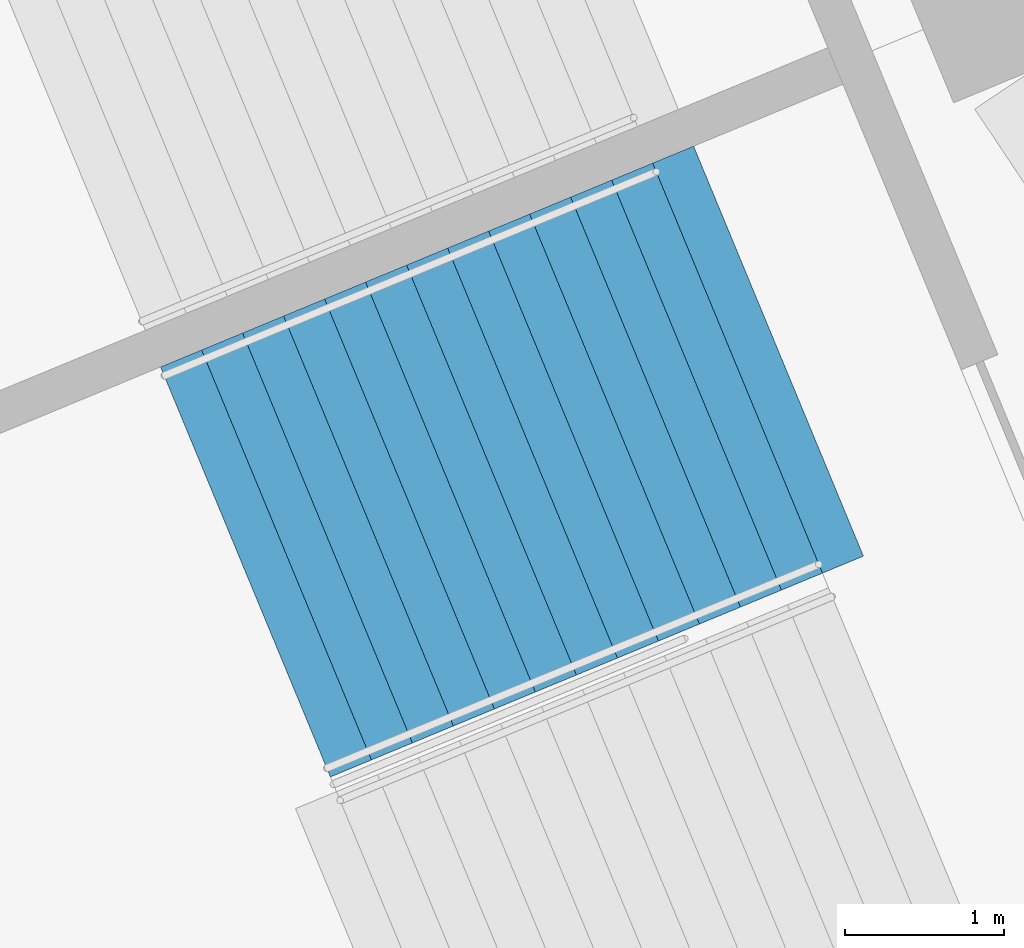
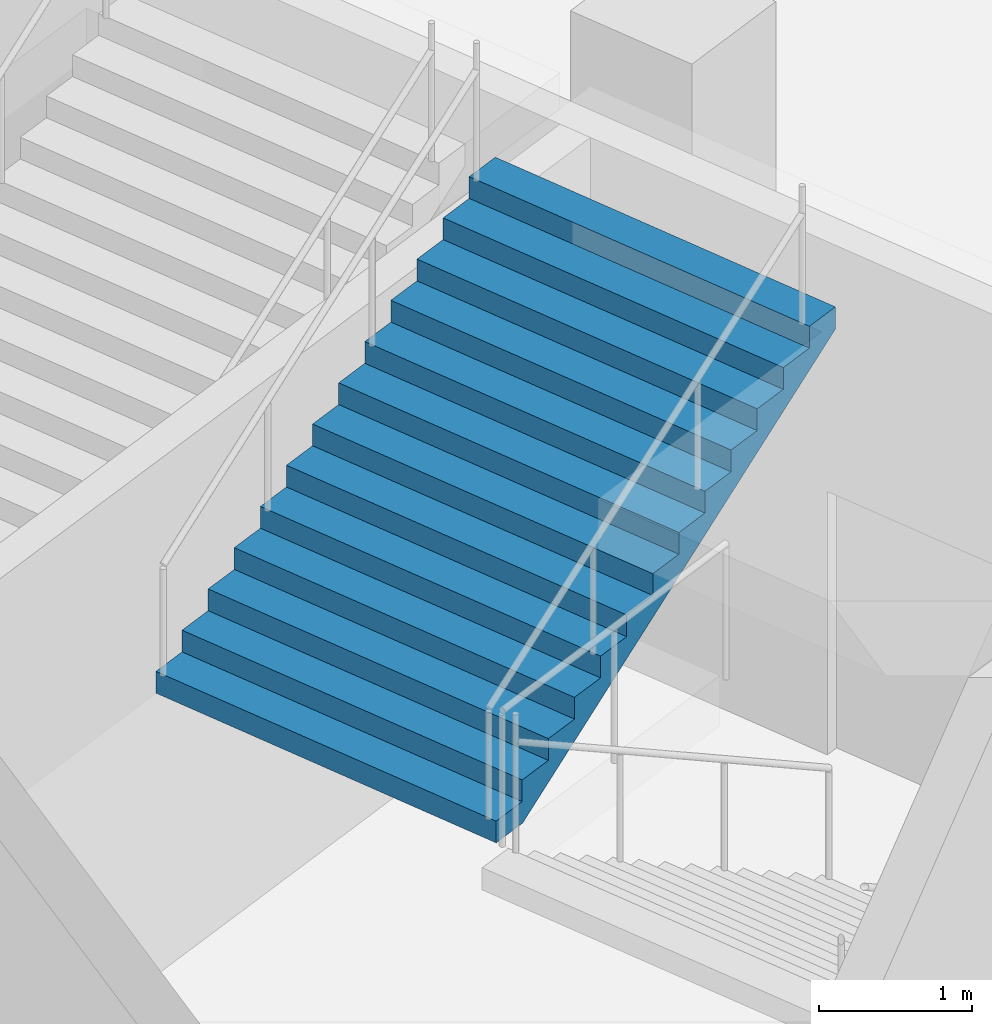
# One storey, part 48 of 175: 1 stair flight, 1 element without a shape of its own.
"""IFC4 building model written with IfcOpenShell, lengths in metres."""

from ifc_helpers import new_model, si_unit, direction, frame, origin, place, context, subcontext, project, spatial, faceted_brep, material, type_object, element, aggregate, save


model = new_model("IFC4")

# Units and contexts
model_context = context("Model", 3, precision=1e-05, world=origin(), true_north=direction((0.0, 1.0)))
body_context = subcontext(model_context, "Body", "Model", "MODEL_VIEW")
ifc_project = project(units=[si_unit("LENGTHUNIT", "METRE"), si_unit("AREAUNIT", "SQUARE_METRE"), si_unit("VOLUMEUNIT", "CUBIC_METRE"), si_unit("PLANEANGLEUNIT", "RADIAN"), si_unit("MASSUNIT", "GRAM", prefix="KILO")], contexts=[model_context])

# Site, building, storey
site_placement = place(None, origin())
site = spatial("IfcSite", under=ifc_project, at=site_placement, CompositionType="ELEMENT")
building_placement = place(site_placement, origin())
building = spatial("IfcBuilding", under=site, at=building_placement, Name="Ogive Plaza Stadium", CompositionType="ELEMENT")
storey_placement = place(building_placement, origin())
storey = spatial("IfcBuildingStorey", under=building, at=storey_placement, Name="L00", CompositionType="ELEMENT", Elevation=0.0)

# Stair, stair flight
ifc_material_1 = material(Name="Concrete C40/50", Category="concrete")
stair_type = type_object("IfcStairType", Name="Exit stair", PredefinedType="STRAIGHT_RUN_STAIR", material=ifc_material_1)
stair_placement = place(storey_placement, origin())
stair = element("IfcStair", 1, at=stair_placement, inside=storey, type_object=stair_type, Name="Exit stair ST20B L00 to L01", PredefinedType="STRAIGHT_RUN_STAIR")
ifc_material_2 = material(Name="Concrete C40/50", Category="concrete")
stair_flight_type = type_object("IfcStairFlightType", Name="Exit stair flight", PredefinedType="STRAIGHT", material=ifc_material_2)
stair_flight_placement = place(storey_placement, frame((-75.64697265625, -71.4013671875, 2.25), z_axis=(0.0, 0.0, 1.0), x_axis=(0.923879532511, 0.382683432365, 0.0)))
stair_flight = element("IfcStairFlight", 2, at=stair_flight_placement, type_object=stair_flight_type, Name="ST20B flight 2", NumberOfRisers=13, NumberOfTreads=12, PredefinedType="STRAIGHT", RiserHeight=0.173076923, TreadLength=0.28, context=body_context, shape_type="Brep", body=[
    faceted_brep([(0.28515625, -1.39990234375, 0.0), (3.639892578125, -1.39990234375, 2.07373046875), (3.639892578125, -1.39990234375, 2.25), (3.360107421875, -1.39990234375, 2.25), (3.360107421875, -1.39990234375, 2.076904296875), (3.080078125, -1.39990234375, 2.076904296875), (3.080078125, -1.39990234375, 1.90380859375), (2.800048828125, -1.39990234375, 1.90380859375), (2.800048828125, -1.39990234375, 1.730712890625), (2.52001953125, -1.39990234375, 1.730712890625), (2.52001953125, -1.39990234375, 1.5576171875), (2.239990234375, -1.39990234375, 1.5576171875), (2.239990234375, -1.39990234375, 1.384521484375), (1.9599609375, -1.39990234375, 1.384521484375), (1.9599609375, -1.39990234375, 1.21142578125), (1.679931640625, -1.39990234375, 1.21142578125), (1.679931640625, -1.39990234375, 1.03857421875), (1.39990234375, -1.39990234375, 1.03857421875), (1.39990234375, -1.39990234375, 0.865478515625), (1.1201171875, -1.39990234375, 0.865478515625), (1.1201171875, -1.39990234375, 0.6923828125), (0.840087890625, -1.39990234375, 0.6923828125), (0.840087890625, -1.39990234375, 0.519287109375), (0.56005859375, -1.39990234375, 0.519287109375), (0.56005859375, -1.39990234375, 0.34619140625), (0.280029296875, -1.39990234375, 0.34619140625), (0.280029296875, -1.39990234375, 0.173095703125), (0.0, -1.39990234375, 0.173095703125), (0.0, -1.39990234375, 0.0), (0.0, 1.39990234375, 0.0), (0.0, 1.39990234375, 0.173095703125), (0.280029296875, 1.39990234375, 0.173095703125), (0.280029296875, 1.39990234375, 0.34619140625), (0.56005859375, 1.39990234375, 0.34619140625), (0.56005859375, 1.39990234375, 0.519287109375), (0.840087890625, 1.39990234375, 0.519287109375), (0.840087890625, 1.39990234375, 0.6923828125), (1.1201171875, 1.39990234375, 0.6923828125), (1.1201171875, 1.39990234375, 0.865478515625), (1.39990234375, 1.39990234375, 0.865478515625), (1.39990234375, 1.39990234375, 1.03857421875), (1.679931640625, 1.39990234375, 1.03857421875), (1.679931640625, 1.39990234375, 1.21142578125), (1.9599609375, 1.39990234375, 1.21142578125), (1.9599609375, 1.39990234375, 1.384521484375), (2.239990234375, 1.39990234375, 1.384521484375), (2.239990234375, 1.39990234375, 1.5576171875), (2.52001953125, 1.39990234375, 1.5576171875), (2.52001953125, 1.39990234375, 1.730712890625), (2.800048828125, 1.39990234375, 1.730712890625), (2.800048828125, 1.39990234375, 1.90380859375), (3.080078125, 1.39990234375, 1.90380859375), (3.080078125, 1.39990234375, 2.076904296875), (3.360107421875, 1.39990234375, 2.076904296875), (3.360107421875, 1.39990234375, 2.25), (3.639892578125, 1.39990234375, 2.25), (3.639892578125, 1.39990234375, 2.07373046875), (0.28515625, 1.39990234375, 0.0), (0.28515625, -1.0888671875, 0.0), (3.639892578125, -1.0888671875, 2.07373046875), (0.28515625, -0.77783203125, 0.0), (3.639892578125, -0.77783203125, 2.07373046875), (0.28515625, -0.466796875, 0.0), (3.639892578125, -0.466796875, 2.07373046875), (0.28515625, -0.155517578125, 0.0), (3.639892578125, -0.155517578125, 2.07373046875), (0.28515625, 0.155517578125, 0.0), (3.639892578125, 0.155517578125, 2.07373046875), (0.28515625, 0.466796875, 0.0), (3.639892578125, 0.466796875, 2.07373046875), (0.28515625, 0.77783203125, 0.0), (3.639892578125, 0.77783203125, 2.07373046875), (0.28515625, 1.0888671875, 0.0), (3.639892578125, 1.0888671875, 2.07373046875), (3.639892578125, -1.0888671875, 2.25), (3.639892578125, -0.77783203125, 2.25), (3.639892578125, -0.466796875, 2.25), (3.639892578125, -0.155517578125, 2.25), (3.639892578125, 0.155517578125, 2.25), (3.639892578125, 0.466796875, 2.25), (3.639892578125, 0.77783203125, 2.25), (3.639892578125, 1.0888671875, 2.25), (3.360107421875, -1.0888671875, 2.25), (3.360107421875, -0.77783203125, 2.25), (3.360107421875, -0.466796875, 2.25), (3.360107421875, -0.155517578125, 2.25), (3.360107421875, 0.155517578125, 2.25), (3.360107421875, 0.466796875, 2.25), (3.360107421875, 0.77783203125, 2.25), (3.360107421875, 1.0888671875, 2.25), (3.360107421875, -1.0888671875, 2.076904296875), (3.360107421875, -0.77783203125, 2.076904296875), (3.360107421875, -0.466796875, 2.076904296875), (3.360107421875, -0.155517578125, 2.076904296875), (3.360107421875, 0.155517578125, 2.076904296875), (3.360107421875, 0.466796875, 2.076904296875), (3.360107421875, 0.77783203125, 2.076904296875), (3.360107421875, 1.0888671875, 2.076904296875), (3.080078125, -1.0888671875, 2.076904296875), (3.080078125, -0.77783203125, 2.076904296875), (3.080078125, -0.466796875, 2.076904296875), (3.080078125, -0.155517578125, 2.076904296875), (3.080078125, 0.155517578125, 2.076904296875), (3.080078125, 0.466796875, 2.076904296875), (3.080078125, 0.77783203125, 2.076904296875), (3.080078125, 1.0888671875, 2.076904296875), (3.080078125, -1.0888671875, 1.90380859375), (3.080078125, -0.77783203125, 1.90380859375), (3.080078125, -0.466796875, 1.90380859375), (3.080078125, -0.155517578125, 1.90380859375), (3.080078125, 0.155517578125, 1.90380859375), (3.080078125, 0.466796875, 1.90380859375), (3.080078125, 0.77783203125, 1.90380859375), (3.080078125, 1.0888671875, 1.90380859375), (2.800048828125, -1.0888671875, 1.90380859375), (2.800048828125, -0.77783203125, 1.90380859375), (2.800048828125, -0.466796875, 1.90380859375), (2.800048828125, -0.155517578125, 1.90380859375), (2.800048828125, 0.155517578125, 1.90380859375), (2.800048828125, 0.466796875, 1.90380859375), (2.800048828125, 0.77783203125, 1.90380859375), (2.800048828125, 1.0888671875, 1.90380859375), (2.800048828125, -1.0888671875, 1.730712890625), (2.800048828125, -0.77783203125, 1.730712890625), (2.800048828125, -0.466796875, 1.730712890625), (2.800048828125, -0.155517578125, 1.730712890625), (2.800048828125, 0.155517578125, 1.730712890625), (2.800048828125, 0.466796875, 1.730712890625), (2.800048828125, 0.77783203125, 1.730712890625), (2.800048828125, 1.0888671875, 1.730712890625), (2.52001953125, -1.0888671875, 1.730712890625), (2.52001953125, -0.77783203125, 1.730712890625), (2.52001953125, -0.466796875, 1.730712890625), (2.52001953125, -0.155517578125, 1.730712890625), (2.52001953125, 0.155517578125, 1.730712890625), (2.52001953125, 0.466796875, 1.730712890625), (2.52001953125, 0.77783203125, 1.730712890625), (2.52001953125, 1.0888671875, 1.730712890625), (2.52001953125, -1.0888671875, 1.5576171875), (2.52001953125, -0.77783203125, 1.5576171875), (2.52001953125, -0.466796875, 1.5576171875), (2.52001953125, -0.155517578125, 1.5576171875), (2.52001953125, 0.155517578125, 1.5576171875), (2.52001953125, 0.466796875, 1.5576171875), (2.52001953125, 0.77783203125, 1.5576171875), (2.52001953125, 1.0888671875, 1.5576171875), (2.239990234375, -1.0888671875, 1.5576171875), (2.239990234375, -0.77783203125, 1.5576171875), (2.239990234375, -0.466796875, 1.5576171875), (2.239990234375, -0.155517578125, 1.5576171875), (2.239990234375, 0.155517578125, 1.5576171875), (2.239990234375, 0.466796875, 1.5576171875), (2.239990234375, 0.77783203125, 1.5576171875), (2.239990234375, 1.0888671875, 1.5576171875), (2.239990234375, -1.0888671875, 1.384521484375), (2.239990234375, -0.77783203125, 1.384521484375), (2.239990234375, -0.466796875, 1.384521484375), (2.239990234375, -0.155517578125, 1.384521484375), (2.239990234375, 0.155517578125, 1.384521484375), (2.239990234375, 0.466796875, 1.384521484375), (2.239990234375, 0.77783203125, 1.384521484375), (2.239990234375, 1.0888671875, 1.384521484375), (1.9599609375, -1.0888671875, 1.384521484375), (1.9599609375, -0.77783203125, 1.384521484375), (1.9599609375, -0.466796875, 1.384521484375), (1.9599609375, -0.155517578125, 1.384521484375), (1.9599609375, 0.155517578125, 1.384521484375), (1.9599609375, 0.466796875, 1.384521484375), (1.9599609375, 0.77783203125, 1.384521484375), (1.9599609375, 1.0888671875, 1.384521484375), (1.9599609375, -1.0888671875, 1.21142578125), (1.9599609375, -0.77783203125, 1.21142578125), (1.9599609375, -0.466796875, 1.21142578125), (1.9599609375, -0.155517578125, 1.21142578125), (1.9599609375, 0.155517578125, 1.21142578125), (1.9599609375, 0.466796875, 1.21142578125), (1.9599609375, 0.77783203125, 1.21142578125), (1.9599609375, 1.0888671875, 1.21142578125), (1.679931640625, -1.0888671875, 1.21142578125), (1.679931640625, -0.77783203125, 1.21142578125), (1.679931640625, -0.466796875, 1.21142578125), (1.679931640625, -0.155517578125, 1.21142578125), (1.679931640625, 0.155517578125, 1.21142578125), (1.679931640625, 0.466796875, 1.21142578125), (1.679931640625, 0.77783203125, 1.21142578125), (1.679931640625, 1.0888671875, 1.21142578125), (1.679931640625, -1.0888671875, 1.03857421875), (1.679931640625, -0.77783203125, 1.03857421875), (1.679931640625, -0.466796875, 1.03857421875), (1.679931640625, -0.155517578125, 1.03857421875), (1.679931640625, 0.155517578125, 1.03857421875), (1.679931640625, 0.466796875, 1.03857421875), (1.679931640625, 0.77783203125, 1.03857421875), (1.679931640625, 1.0888671875, 1.03857421875), (1.39990234375, -1.0888671875, 1.03857421875), (1.39990234375, -0.77783203125, 1.03857421875), (1.39990234375, -0.466796875, 1.03857421875), (1.39990234375, -0.155517578125, 1.03857421875), (1.39990234375, 0.155517578125, 1.03857421875), (1.39990234375, 0.466796875, 1.03857421875), (1.39990234375, 0.77783203125, 1.03857421875), (1.39990234375, 1.0888671875, 1.03857421875), (1.39990234375, -1.0888671875, 0.865478515625), (1.39990234375, -0.77783203125, 0.865478515625), (1.39990234375, -0.466796875, 0.865478515625), (1.39990234375, -0.155517578125, 0.865478515625), (1.39990234375, 0.155517578125, 0.865478515625), (1.39990234375, 0.466796875, 0.865478515625), (1.39990234375, 0.77783203125, 0.865478515625), (1.39990234375, 1.0888671875, 0.865478515625), (1.1201171875, -1.0888671875, 0.865478515625), (1.1201171875, -0.77783203125, 0.865478515625), (1.1201171875, -0.466796875, 0.865478515625), (1.1201171875, -0.155517578125, 0.865478515625), (1.1201171875, 0.155517578125, 0.865478515625), (1.1201171875, 0.466796875, 0.865478515625), (1.1201171875, 0.77783203125, 0.865478515625), (1.1201171875, 1.0888671875, 0.865478515625), (1.1201171875, -1.0888671875, 0.6923828125), (1.1201171875, -0.77783203125, 0.6923828125), (1.1201171875, -0.466796875, 0.6923828125), (1.1201171875, -0.155517578125, 0.6923828125), (1.1201171875, 0.155517578125, 0.6923828125), (1.1201171875, 0.466796875, 0.6923828125), (1.1201171875, 0.77783203125, 0.6923828125), (1.1201171875, 1.0888671875, 0.6923828125), (0.840087890625, -1.0888671875, 0.6923828125), (0.840087890625, -0.77783203125, 0.6923828125), (0.840087890625, -0.466796875, 0.6923828125), (0.840087890625, -0.155517578125, 0.6923828125), (0.840087890625, 0.155517578125, 0.6923828125), (0.840087890625, 0.466796875, 0.6923828125), (0.840087890625, 0.77783203125, 0.6923828125), (0.840087890625, 1.0888671875, 0.6923828125), (0.840087890625, -1.0888671875, 0.519287109375), (0.840087890625, -0.77783203125, 0.519287109375), (0.840087890625, -0.466796875, 0.519287109375), (0.840087890625, -0.155517578125, 0.519287109375), (0.840087890625, 0.155517578125, 0.519287109375), (0.840087890625, 0.466796875, 0.519287109375), (0.840087890625, 0.77783203125, 0.519287109375), (0.840087890625, 1.0888671875, 0.519287109375), (0.56005859375, -1.0888671875, 0.519287109375), (0.56005859375, -0.77783203125, 0.519287109375), (0.56005859375, -0.466796875, 0.519287109375), (0.56005859375, -0.155517578125, 0.519287109375), (0.56005859375, 0.155517578125, 0.519287109375), (0.56005859375, 0.466796875, 0.519287109375), (0.56005859375, 0.77783203125, 0.519287109375), (0.56005859375, 1.0888671875, 0.519287109375), (0.56005859375, -1.0888671875, 0.34619140625), (0.56005859375, -0.77783203125, 0.34619140625), (0.56005859375, -0.466796875, 0.34619140625), (0.56005859375, -0.155517578125, 0.34619140625), (0.56005859375, 0.155517578125, 0.34619140625), (0.56005859375, 0.466796875, 0.34619140625), (0.56005859375, 0.77783203125, 0.34619140625), (0.56005859375, 1.0888671875, 0.34619140625), (0.280029296875, -1.0888671875, 0.34619140625), (0.280029296875, -0.77783203125, 0.34619140625), (0.280029296875, -0.466796875, 0.34619140625), (0.280029296875, -0.155517578125, 0.34619140625), (0.280029296875, 0.155517578125, 0.34619140625), (0.280029296875, 0.466796875, 0.34619140625), (0.280029296875, 0.77783203125, 0.34619140625), (0.280029296875, 1.0888671875, 0.34619140625), (0.280029296875, -1.0888671875, 0.173095703125), (0.280029296875, -0.77783203125, 0.173095703125), (0.280029296875, -0.466796875, 0.173095703125), (0.280029296875, -0.155517578125, 0.173095703125), (0.280029296875, 0.155517578125, 0.173095703125), (0.280029296875, 0.466796875, 0.173095703125), (0.280029296875, 0.77783203125, 0.173095703125), (0.280029296875, 1.0888671875, 0.173095703125), (0.0, -1.0888671875, 0.173095703125), (0.0, -0.77783203125, 0.173095703125), (0.0, -0.466796875, 0.173095703125), (0.0, -0.155517578125, 0.173095703125), (0.0, 0.155517578125, 0.173095703125), (0.0, 0.466796875, 0.173095703125), (0.0, 0.77783203125, 0.173095703125), (0.0, 1.0888671875, 0.173095703125), (0.0, -1.0888671875, 0.0), (0.0, -0.77783203125, 0.0), (0.0, -0.466796875, 0.0), (0.0, -0.155517578125, 0.0), (0.0, 0.155517578125, 0.0), (0.0, 0.466796875, 0.0), (0.0, 0.77783203125, 0.0), (0.0, 1.0888671875, 0.0)], [[[0, 1, 2, 3, 4, 5, 6, 7, 8, 9, 10, 11, 12, 13, 14, 15, 16, 17, 18, 19, 20, 21, 22, 23, 24, 25, 26, 27, 28]], [[29, 30, 31, 32, 33, 34, 35, 36, 37, 38, 39, 40, 41, 42, 43, 44, 45, 46, 47, 48, 49, 50, 51, 52, 53, 54, 55, 56, 57]], [[0, 58, 59, 1]], [[58, 60, 61, 59]], [[60, 62, 63, 61]], [[62, 64, 65, 63]], [[64, 66, 67, 65]], [[66, 68, 69, 67]], [[68, 70, 71, 69]], [[70, 72, 73, 71]], [[72, 57, 56, 73]], [[1, 59, 74, 2]], [[59, 61, 75, 74]], [[61, 63, 76, 75]], [[63, 65, 77, 76]], [[65, 67, 78, 77]], [[67, 69, 79, 78]], [[69, 71, 80, 79]], [[71, 73, 81, 80]], [[73, 56, 55, 81]], [[2, 74, 82, 3]], [[74, 75, 83, 82]], [[75, 76, 84, 83]], [[76, 77, 85, 84]], [[77, 78, 86, 85]], [[78, 79, 87, 86]], [[79, 80, 88, 87]], [[80, 81, 89, 88]], [[81, 55, 54, 89]], [[3, 82, 90, 4]], [[82, 83, 91, 90]], [[83, 84, 92, 91]], [[84, 85, 93, 92]], [[85, 86, 94, 93]], [[86, 87, 95, 94]], [[87, 88, 96, 95]], [[88, 89, 97, 96]], [[89, 54, 53, 97]], [[4, 90, 98, 5]], [[90, 91, 99, 98]], [[91, 92, 100, 99]], [[92, 93, 101, 100]], [[93, 94, 102, 101]], [[94, 95, 103, 102]], [[95, 96, 104, 103]], [[96, 97, 105, 104]], [[97, 53, 52, 105]], [[5, 98, 106, 6]], [[98, 99, 107, 106]], [[99, 100, 108, 107]], [[100, 101, 109, 108]], [[101, 102, 110, 109]], [[102, 103, 111, 110]], [[103, 104, 112, 111]], [[104, 105, 113, 112]], [[105, 52, 51, 113]], [[6, 106, 114, 7]], [[106, 107, 115, 114]], [[107, 108, 116, 115]], [[108, 109, 117, 116]], [[109, 110, 118, 117]], [[110, 111, 119, 118]], [[111, 112, 120, 119]], [[112, 113, 121, 120]], [[113, 51, 50, 121]], [[7, 114, 122, 8]], [[114, 115, 123, 122]], [[115, 116, 124, 123]], [[116, 117, 125, 124]], [[117, 118, 126, 125]], [[118, 119, 127, 126]], [[119, 120, 128, 127]], [[120, 121, 129, 128]], [[121, 50, 49, 129]], [[8, 122, 130, 9]], [[122, 123, 131, 130]], [[123, 124, 132, 131]], [[124, 125, 133, 132]], [[125, 126, 134, 133]], [[126, 127, 135, 134]], [[127, 128, 136, 135]], [[128, 129, 137, 136]], [[129, 49, 48, 137]], [[9, 130, 138, 10]], [[130, 131, 139, 138]], [[131, 132, 140, 139]], [[132, 133, 141, 140]], [[133, 134, 142, 141]], [[134, 135, 143, 142]], [[135, 136, 144, 143]], [[136, 137, 145, 144]], [[137, 48, 47, 145]], [[10, 138, 146, 11]], [[138, 139, 147, 146]], [[139, 140, 148, 147]], [[140, 141, 149, 148]], [[141, 142, 150, 149]], [[142, 143, 151, 150]], [[143, 144, 152, 151]], [[144, 145, 153, 152]], [[145, 47, 46, 153]], [[11, 146, 154, 12]], [[146, 147, 155, 154]], [[147, 148, 156, 155]], [[148, 149, 157, 156]], [[149, 150, 158, 157]], [[150, 151, 159, 158]], [[151, 152, 160, 159]], [[152, 153, 161, 160]], [[153, 46, 45, 161]], [[12, 154, 162, 13]], [[154, 155, 163, 162]], [[155, 156, 164, 163]], [[156, 157, 165, 164]], [[157, 158, 166, 165]], [[158, 159, 167, 166]], [[159, 160, 168, 167]], [[160, 161, 169, 168]], [[161, 45, 44, 169]], [[13, 162, 170, 14]], [[162, 163, 171, 170]], [[163, 164, 172, 171]], [[164, 165, 173, 172]], [[165, 166, 174, 173]], [[166, 167, 175, 174]], [[167, 168, 176, 175]], [[168, 169, 177, 176]], [[169, 44, 43, 177]], [[14, 170, 178, 15]], [[170, 171, 179, 178]], [[171, 172, 180, 179]], [[172, 173, 181, 180]], [[173, 174, 182, 181]], [[174, 175, 183, 182]], [[175, 176, 184, 183]], [[176, 177, 185, 184]], [[177, 43, 42, 185]], [[15, 178, 186, 16]], [[178, 179, 187, 186]], [[179, 180, 188, 187]], [[180, 181, 189, 188]], [[181, 182, 190, 189]], [[182, 183, 191, 190]], [[183, 184, 192, 191]], [[184, 185, 193, 192]], [[185, 42, 41, 193]], [[16, 186, 194, 17]], [[186, 187, 195, 194]], [[187, 188, 196, 195]], [[188, 189, 197, 196]], [[189, 190, 198, 197]], [[190, 191, 199, 198]], [[191, 192, 200, 199]], [[192, 193, 201, 200]], [[193, 41, 40, 201]], [[17, 194, 202, 18]], [[194, 195, 203, 202]], [[195, 196, 204, 203]], [[196, 197, 205, 204]], [[197, 198, 206, 205]], [[198, 199, 207, 206]], [[199, 200, 208, 207]], [[200, 201, 209, 208]], [[201, 40, 39, 209]], [[18, 202, 210, 19]], [[202, 203, 211, 210]], [[203, 204, 212, 211]], [[204, 205, 213, 212]], [[205, 206, 214, 213]], [[206, 207, 215, 214]], [[207, 208, 216, 215]], [[208, 209, 217, 216]], [[209, 39, 38, 217]], [[19, 210, 218, 20]], [[210, 211, 219, 218]], [[211, 212, 220, 219]], [[212, 213, 221, 220]], [[213, 214, 222, 221]], [[214, 215, 223, 222]], [[215, 216, 224, 223]], [[216, 217, 225, 224]], [[217, 38, 37, 225]], [[20, 218, 226, 21]], [[218, 219, 227, 226]], [[219, 220, 228, 227]], [[220, 221, 229, 228]], [[221, 222, 230, 229]], [[222, 223, 231, 230]], [[223, 224, 232, 231]], [[224, 225, 233, 232]], [[225, 37, 36, 233]], [[21, 226, 234, 22]], [[226, 227, 235, 234]], [[227, 228, 236, 235]], [[228, 229, 237, 236]], [[229, 230, 238, 237]], [[230, 231, 239, 238]], [[231, 232, 240, 239]], [[232, 233, 241, 240]], [[233, 36, 35, 241]], [[22, 234, 242, 23]], [[234, 235, 243, 242]], [[235, 236, 244, 243]], [[236, 237, 245, 244]], [[237, 238, 246, 245]], [[238, 239, 247, 246]], [[239, 240, 248, 247]], [[240, 241, 249, 248]], [[241, 35, 34, 249]], [[23, 242, 250, 24]], [[242, 243, 251, 250]], [[243, 244, 252, 251]], [[244, 245, 253, 252]], [[245, 246, 254, 253]], [[246, 247, 255, 254]], [[247, 248, 256, 255]], [[248, 249, 257, 256]], [[249, 34, 33, 257]], [[24, 250, 258, 25]], [[250, 251, 259, 258]], [[251, 252, 260, 259]], [[252, 253, 261, 260]], [[253, 254, 262, 261]], [[254, 255, 263, 262]], [[255, 256, 264, 263]], [[256, 257, 265, 264]], [[257, 33, 32, 265]], [[25, 258, 266, 26]], [[258, 259, 267, 266]], [[259, 260, 268, 267]], [[260, 261, 269, 268]], [[261, 262, 270, 269]], [[262, 263, 271, 270]], [[263, 264, 272, 271]], [[264, 265, 273, 272]], [[265, 32, 31, 273]], [[26, 266, 274, 27]], [[266, 267, 275, 274]], [[267, 268, 276, 275]], [[268, 269, 277, 276]], [[269, 270, 278, 277]], [[270, 271, 279, 278]], [[271, 272, 280, 279]], [[272, 273, 281, 280]], [[273, 31, 30, 281]], [[27, 274, 282, 28]], [[274, 275, 283, 282]], [[275, 276, 284, 283]], [[276, 277, 285, 284]], [[277, 278, 286, 285]], [[278, 279, 287, 286]], [[279, 280, 288, 287]], [[280, 281, 289, 288]], [[281, 30, 29, 289]], [[28, 282, 58, 0]], [[282, 283, 60, 58]], [[283, 284, 62, 60]], [[284, 285, 64, 62]], [[285, 286, 66, 64]], [[286, 287, 68, 66]], [[287, 288, 70, 68]], [[288, 289, 72, 70]], [[289, 29, 57, 72]]]),
])
aggregate(stair, [stair_flight])

save(model, "model.ifc")
